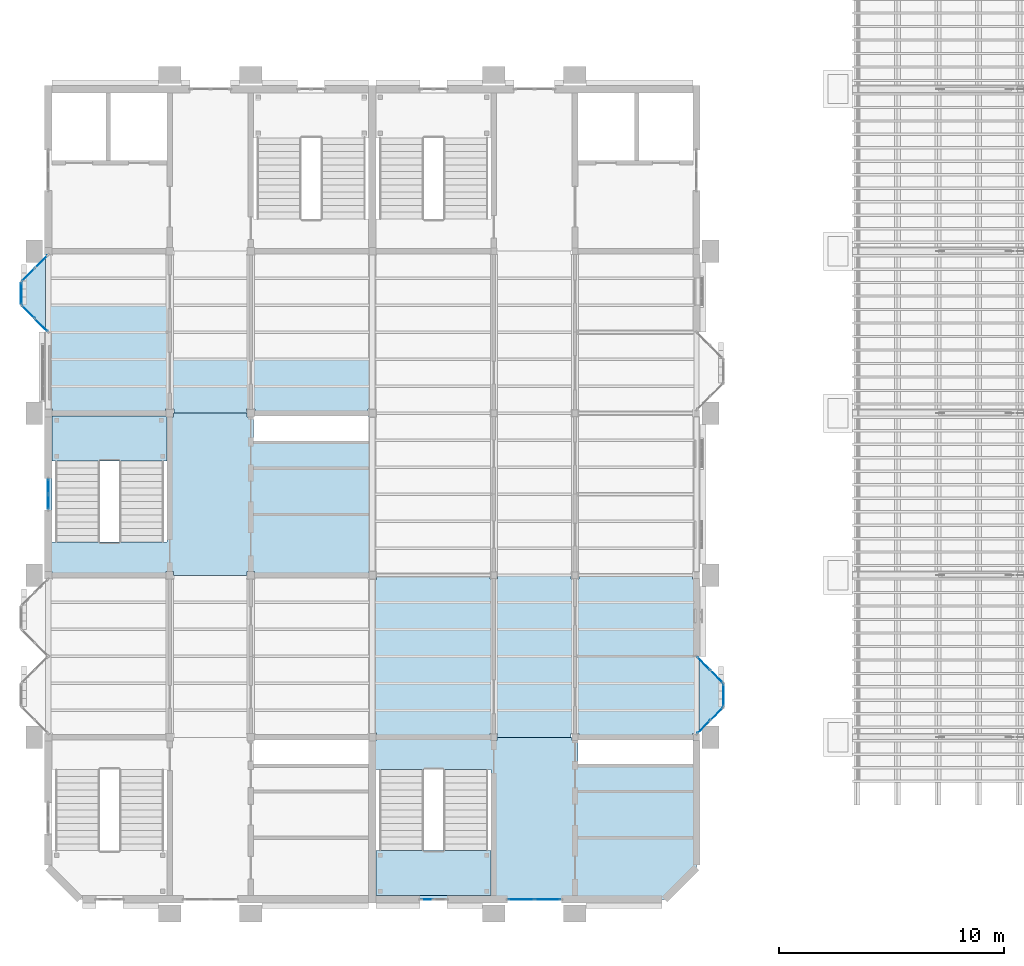
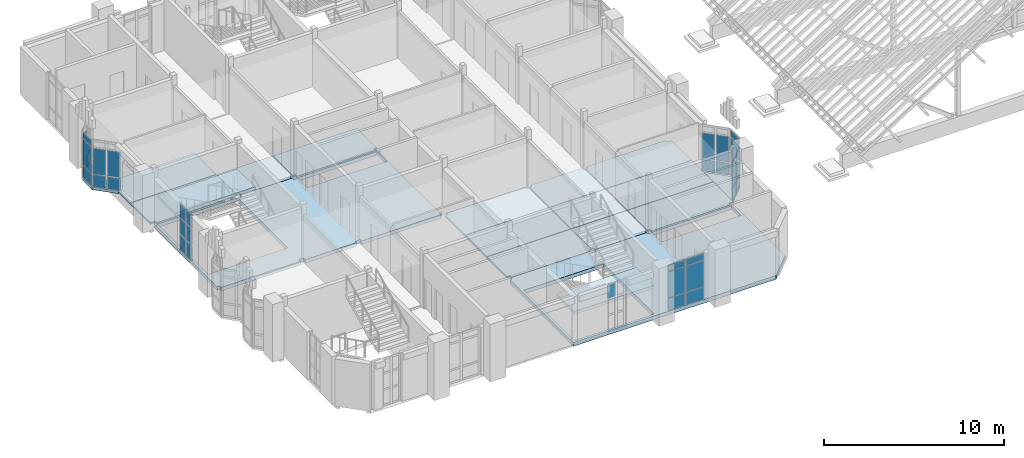
# One storey, part 27 of 71: 34 plates, 19 slabs, 11 elements without a shape of their own.
"""IFC4 building model written with IfcOpenShell, lengths in metres."""

from ifc_helpers import new_model, si_unit, direction, frame, origin, origin_2d, place, context, subcontext, project, spatial, polyline, rectangle, outline, extrude, material, layer, layer_set, type_object, element, aggregate, save


model = new_model("IFC4")

# Units and contexts
model_context = context("Model", 3, precision=1e-05, world=origin(), true_north=direction((0.0, 1.0)))
body_context = subcontext(model_context, "Body", "Model", "MODEL_VIEW")
ifc_project = project(units=[si_unit("LENGTHUNIT", "METRE"), si_unit("AREAUNIT", "SQUARE_METRE"), si_unit("VOLUMEUNIT", "CUBIC_METRE"), si_unit("PLANEANGLEUNIT", "RADIAN"), si_unit("MASSUNIT", "GRAM", prefix="KILO")], contexts=[model_context])

# Site, building, storey
site_placement = place(None, origin())
site = spatial("IfcSite", under=ifc_project, at=site_placement, CompositionType="ELEMENT")
building_placement = place(site_placement, origin())
building = spatial("IfcBuilding", under=site, at=building_placement, Name="Mazhai Court Health Centre", CompositionType="ELEMENT")
storey_placement = place(building_placement, frame((0.0, 0.0, 10.199951171875)))
storey = spatial("IfcBuildingStorey", under=building, at=storey_placement, Name="L02", CompositionType="ELEMENT", Elevation=10.199951171875)

# Slabs
ifc_material_1 = material(Name="CLT C24 5-ply", Category="wood")
ifc_layer_1 = layer(ifc_material_1, 0.1201171875)
ifc_layer_set_1 = layer_set([ifc_layer_1], Name="CLT C24 5-ply 120 floor panel")
slab_type_1 = type_object("IfcSlabType", Name="CLT C24 5-ply 120 floor panel", PredefinedType="FLOOR", material=ifc_layer_set_1)
slab_1_placement = place(storey_placement, frame((0.0, 0.0, -0.119873046875)))
element("IfcSlab", 1, at=slab_1_placement, inside=storey, type_object=slab_type_1, Name="slab-V2-L02-b3-A0", PredefinedType="FLOOR", context=body_context, shape_type="SweptSolid", body=[
    extrude(outline(polyline([(6.080078125, 30.18994140625), (6.080078125, 27.989990234375), (6.389892578125, 27.989990234375), (6.389892578125, 27.800048828125), (11.409912109375, 27.800048828125), (11.409912109375, 27.989990234375), (11.590087890625, 27.989990234375), (11.590087890625, 30.18994140625), (6.080078125, 30.18994140625)])), origin(), (0.0, 0.0, 1.0), 0.119873046875),
])
slab_2_placement = place(storey_placement, frame((0.0, 0.0, -0.119873046875)))
element("IfcSlab", 2, at=slab_2_placement, inside=storey, type_object=slab_type_1, Name="slab-V2-L02-b3-A1", PredefinedType="FLOOR", context=body_context, shape_type="SweptSolid", body=[
    extrude(outline(polyline([(6.080078125, 30.2099609375), (11.590087890625, 30.2099609375), (11.590087890625, 32.590087890625), (6.080078125, 32.590087890625), (6.080078125, 30.2099609375)])), origin(), (0.0, 0.0, 1.0), 0.119873046875),
])
slab_3_placement = place(storey_placement, frame((0.0, 0.0, -0.119873046875)))
element("IfcSlab", 3, at=slab_3_placement, inside=storey, type_object=slab_type_1, Name="slab-V2-L02-b3-C0", PredefinedType="FLOOR", context=body_context, shape_type="SweptSolid", body=[
    extrude(outline(polyline([(11.610107421875, 30.18994140625), (11.610107421875, 27.989990234375), (11.7900390625, 27.989990234375), (11.7900390625, 27.800048828125), (15.010009765625, 27.800048828125), (15.010009765625, 27.989990234375), (15.18994140625, 27.989990234375), (15.18994140625, 30.18994140625), (11.610107421875, 30.18994140625)])), origin(), (0.0, 0.0, 1.0), 0.119873046875),
])
slab_4_placement = place(storey_placement, frame((0.0, 0.0, -0.119873046875)))
element("IfcSlab", 4, at=slab_4_placement, inside=storey, type_object=slab_type_1, Name="slab-V2-L02-b3-B0", PredefinedType="FLOOR", context=body_context, shape_type="SweptSolid", body=[
    extrude(outline(polyline([(15.2099609375, 30.18994140625), (15.2099609375, 27.989990234375), (15.389892578125, 27.989990234375), (15.389892578125, 27.800048828125), (20.409912109375, 27.800048828125), (20.409912109375, 27.989990234375), (20.590087890625, 27.989990234375), (20.590087890625, 30.18994140625), (15.2099609375, 30.18994140625)])), origin(), (0.0, 0.0, 1.0), 0.119873046875),
])
slab_5_placement = place(storey_placement, frame((0.0, 0.0, -0.119873046875)))
element("IfcSlab", 5, at=slab_5_placement, inside=storey, type_object=slab_type_1, Name="slab-V5-L02-b1-A0", PredefinedType="FLOOR", context=body_context, shape_type="SweptSolid", body=[
    extrude(outline(polyline([(20.610107421875, 15.7900390625), (20.610107421875, 13.590087890625), (20.7900390625, 13.590087890625), (20.7900390625, 13.39990234375), (25.830078125, 13.39990234375), (25.830078125, 13.570068359375), (25.989990234375, 13.570068359375), (25.989990234375, 15.7900390625), (20.610107421875, 15.7900390625)])), origin(), (0.0, 0.0, 1.0), 0.119873046875),
])
slab_6_placement = place(storey_placement, frame((0.0, 0.0, -0.119873046875)))
element("IfcSlab", 6, at=slab_6_placement, inside=storey, type_object=slab_type_1, Name="slab-V5-L02-b1-A1", PredefinedType="FLOOR", context=body_context, shape_type="SweptSolid", body=[
    extrude(outline(polyline([(20.610107421875, 15.81005859375), (25.989990234375, 15.81005859375), (25.989990234375, 18.18994140625), (20.610107421875, 18.18994140625), (20.610107421875, 15.81005859375)])), origin(), (0.0, 0.0, 1.0), 0.119873046875),
])
slab_7_placement = place(storey_placement, frame((0.0, 0.0, -0.119873046875)))
element("IfcSlab", 7, at=slab_7_placement, inside=storey, type_object=slab_type_1, Name="slab-V5-L02-b1-A2", PredefinedType="FLOOR", context=body_context, shape_type="SweptSolid", body=[
    extrude(outline(polyline([(25.989990234375, 18.2099609375), (25.989990234375, 20.429931640625), (25.830078125, 20.429931640625), (25.830078125, 20.60009765625), (20.7900390625, 20.60009765625), (20.7900390625, 20.409912109375), (20.610107421875, 20.409912109375), (20.610107421875, 18.2099609375), (25.989990234375, 18.2099609375)])), origin(), (0.0, 0.0, 1.0), 0.119873046875),
])
slab_8_placement = place(storey_placement, frame((0.0, 0.0, -0.119873046875)))
element("IfcSlab", 8, at=slab_8_placement, inside=storey, type_object=slab_type_1, Name="slab-V5-L02-b1-C0", PredefinedType="FLOOR", context=body_context, shape_type="SweptSolid", body=[
    extrude(outline(polyline([(26.010009765625, 15.7900390625), (26.010009765625, 13.570068359375), (26.169921875, 13.570068359375), (26.169921875, 13.39990234375), (29.429931640625, 13.39990234375), (29.429931640625, 13.570068359375), (29.590087890625, 13.570068359375), (29.590087890625, 15.7900390625), (26.010009765625, 15.7900390625)])), origin(), (0.0, 0.0, 1.0), 0.119873046875),
])
slab_9_placement = place(storey_placement, frame((0.0, 0.0, -0.119873046875)))
element("IfcSlab", 9, at=slab_9_placement, inside=storey, type_object=slab_type_1, Name="slab-V5-L02-b1-C1", PredefinedType="FLOOR", context=body_context, shape_type="SweptSolid", body=[
    extrude(outline(polyline([(26.010009765625, 15.81005859375), (29.590087890625, 15.81005859375), (29.590087890625, 18.18994140625), (26.010009765625, 18.18994140625), (26.010009765625, 15.81005859375)])), origin(), (0.0, 0.0, 1.0), 0.119873046875),
])
slab_10_placement = place(storey_placement, frame((0.0, 0.0, -0.119873046875)))
element("IfcSlab", 10, at=slab_10_placement, inside=storey, type_object=slab_type_1, Name="slab-V5-L02-b1-C2", PredefinedType="FLOOR", context=body_context, shape_type="SweptSolid", body=[
    extrude(outline(polyline([(29.590087890625, 18.2099609375), (29.590087890625, 20.429931640625), (29.429931640625, 20.429931640625), (29.429931640625, 20.60009765625), (26.169921875, 20.60009765625), (26.169921875, 20.429931640625), (26.010009765625, 20.429931640625), (26.010009765625, 18.2099609375), (29.590087890625, 18.2099609375)])), origin(), (0.0, 0.0, 1.0), 0.119873046875),
])
slab_11_placement = place(storey_placement, frame((0.0, 0.0, -0.119873046875)))
element("IfcSlab", 11, at=slab_11_placement, inside=storey, type_object=slab_type_1, Name="slab-V5-L02-b1-B0", PredefinedType="FLOOR", context=body_context, shape_type="SweptSolid", body=[
    extrude(outline(polyline([(29.610107421875, 15.7900390625), (29.610107421875, 13.570068359375), (29.77001953125, 13.570068359375), (29.77001953125, 13.39990234375), (34.830078125, 13.39990234375), (34.830078125, 13.570068359375), (35.1201171875, 13.570068359375), (35.1201171875, 15.7900390625), (29.610107421875, 15.7900390625)])), origin(), (0.0, 0.0, 1.0), 0.119873046875),
])
slab_12_placement = place(storey_placement, frame((0.0, 0.0, -0.119873046875)))
element("IfcSlab", 12, at=slab_12_placement, inside=storey, type_object=slab_type_1, Name="slab-V5-L02-b1-B1", PredefinedType="FLOOR", context=body_context, shape_type="SweptSolid", body=[
    extrude(outline(polyline([(29.610107421875, 15.81005859375), (35.1201171875, 15.81005859375), (35.1201171875, 18.18994140625), (29.610107421875, 18.18994140625), (29.610107421875, 15.81005859375)])), origin(), (0.0, 0.0, 1.0), 0.119873046875),
])
slab_13_placement = place(storey_placement, frame((0.0, 0.0, -0.119873046875)))
element("IfcSlab", 13, at=slab_13_placement, inside=storey, type_object=slab_type_1, Name="slab-V5-L02-b1-B2", PredefinedType="FLOOR", context=body_context, shape_type="SweptSolid", body=[
    extrude(outline(polyline([(35.1201171875, 18.2099609375), (35.1201171875, 20.429931640625), (34.830078125, 20.429931640625), (34.830078125, 20.60009765625), (29.77001953125, 20.60009765625), (29.77001953125, 20.429931640625), (29.610107421875, 20.429931640625), (29.610107421875, 18.2099609375), (35.1201171875, 18.2099609375)])), origin(), (0.0, 0.0, 1.0), 0.119873046875),
])

# Curtain wall, plates
ifc_material_2 = material(Name="Teak timber frame, glazed", Category="wood")
ifc_layer_2 = layer(ifc_material_2, 0.10009765625)
ifc_layer_set_2 = layer_set([ifc_layer_2], Name="CURTAIN WALL TIMBER 600")
curtain_wall_type_1 = type_object("IfcCurtainWallType", Name="CURTAIN WALL TIMBER 600", PredefinedType="NOTDEFINED", material=ifc_layer_set_2)
curtain_wall_1_placement = place(storey_placement, origin())
curtain_wall_1 = element("IfcCurtainWall", 14, at=curtain_wall_1_placement, inside=storey, type_object=curtain_wall_type_1, Name="CW-V2-L02-A2", PredefinedType="NOTDEFINED")
ifc_material_3 = material(Name="Glass IGU 28 mm", Category="glass")
ifc_layer_3 = layer(ifc_material_3, 0.028076171875)
ifc_layer_set_3 = layer_set([ifc_layer_3], Name="CW PANEL IGU 28")
plate_type = type_object("IfcPlateType", Name="CW PANEL IGU 28", PredefinedType="CURTAIN_PANEL", material=ifc_layer_set_3)
plate_1_placement = place(storey_placement, frame((6.199951171875, 23.864990234375, 0.06005859375), z_axis=(0.0, 0.0, 1.0), x_axis=(0.0, 1.0, 0.0)))
plate_1 = element("IfcPlate", 15, at=plate_1_placement, type_object=plate_type, Name="CW panel 1.1", PredefinedType="CURTAIN_PANEL", context=body_context, shape_type="SweptSolid", body=[
    extrude(rectangle(XDim=0.610107421875, YDim=0.028076171875, at=origin_2d()), origin(), (0.0, 0.0, 1.0), 1.010009765625),
])
plate_2_placement = place(storey_placement, frame((6.199951171875, 23.864990234375, 1.130126953125), z_axis=(0.0, 0.0, 1.0), x_axis=(0.0, 1.0, 0.0)))
plate_2 = element("IfcPlate", 16, at=plate_2_placement, type_object=plate_type, Name="CW panel 1.2", PredefinedType="CURTAIN_PANEL", context=body_context, shape_type="SweptSolid", body=[
    extrude(rectangle(XDim=0.610107421875, YDim=0.028076171875, at=origin_2d()), origin(), (0.0, 0.0, 1.0), 1.06005859375),
])
plate_3_placement = place(storey_placement, frame((6.199951171875, 23.864990234375, 2.25), z_axis=(0.0, 0.0, 1.0), x_axis=(0.0, 1.0, 0.0)))
plate_3 = element("IfcPlate", 17, at=plate_3_placement, type_object=plate_type, Name="CW panel 1.3", PredefinedType="CURTAIN_PANEL", context=body_context, shape_type="SweptSolid", body=[
    extrude(rectangle(XDim=0.610107421875, YDim=0.028076171875, at=origin_2d()), origin(), (0.0, 0.0, 1.0), 0.909912109375),
])
plate_4_placement = place(storey_placement, frame((6.199951171875, 24.534912109375, 0.06005859375), z_axis=(0.0, 0.0, 1.0), x_axis=(0.0, 1.0, 0.0)))
plate_4 = element("IfcPlate", 18, at=plate_4_placement, type_object=plate_type, Name="CW panel 2.1", PredefinedType="CURTAIN_PANEL", context=body_context, shape_type="SweptSolid", body=[
    extrude(rectangle(XDim=0.610107421875, YDim=0.028076171875, at=origin_2d()), origin(), (0.0, 0.0, 1.0), 1.010009765625),
])
plate_5_placement = place(storey_placement, frame((6.199951171875, 24.534912109375, 1.130126953125), z_axis=(0.0, 0.0, 1.0), x_axis=(0.0, 1.0, 0.0)))
plate_5 = element("IfcPlate", 19, at=plate_5_placement, type_object=plate_type, Name="CW panel 2.2", PredefinedType="CURTAIN_PANEL", context=body_context, shape_type="SweptSolid", body=[
    extrude(rectangle(XDim=0.610107421875, YDim=0.028076171875, at=origin_2d()), origin(), (0.0, 0.0, 1.0), 1.06005859375),
])
plate_6_placement = place(storey_placement, frame((6.199951171875, 24.534912109375, 2.25), z_axis=(0.0, 0.0, 1.0), x_axis=(0.0, 1.0, 0.0)))
plate_6 = element("IfcPlate", 20, at=plate_6_placement, type_object=plate_type, Name="CW panel 2.3", PredefinedType="CURTAIN_PANEL", context=body_context, shape_type="SweptSolid", body=[
    extrude(rectangle(XDim=0.610107421875, YDim=0.028076171875, at=origin_2d()), origin(), (0.0, 0.0, 1.0), 0.909912109375),
])
aggregate(curtain_wall_1, [plate_1, plate_2, plate_3, plate_4, plate_5, plate_6])

ifc_material_4 = material(Name="Teak timber frame, glazed", Category="wood")
ifc_layer_4 = layer(ifc_material_4, 0.10009765625)
ifc_layer_set_4 = layer_set([ifc_layer_4], Name="CURTAIN WALL TIMBER 900")
curtain_wall_type_2 = type_object("IfcCurtainWallType", Name="CURTAIN WALL TIMBER 900", PredefinedType="NOTDEFINED", material=ifc_layer_set_4)
curtain_wall_2_placement = place(storey_placement, origin())
curtain_wall_2 = element("IfcCurtainWall", 21, at=curtain_wall_2_placement, inside=storey, type_object=curtain_wall_type_2, Name="CW-ORIEL-V2-L02-A31-0", PredefinedType="NOTDEFINED")
plate_7_placement = place(storey_placement, frame((5.889404296875, 31.710693359375, 0.06005859375), z_axis=(0.0, 0.0, 1.0), x_axis=(-0.707106781187, 0.707106781187, 0.0)))
plate_7 = element("IfcPlate", 22, at=plate_7_placement, type_object=plate_type, Name="CW panel 1.1", PredefinedType="CURTAIN_PANEL", context=body_context, shape_type="SweptSolid", body=[
    extrude(rectangle(XDim=0.758544921875, YDim=0.028076171875, at=origin_2d()), origin(), (0.0, 0.0, 1.0), 0.81005859375),
])
plate_8_placement = place(storey_placement, frame((5.889404296875, 31.710693359375, 0.93017578125), z_axis=(0.0, 0.0, 1.0), x_axis=(-0.707106781187, 0.707106781187, 0.0)))
plate_8 = element("IfcPlate", 23, at=plate_8_placement, type_object=plate_type, Name="CW panel 1.2", PredefinedType="CURTAIN_PANEL", context=body_context, shape_type="SweptSolid", body=[
    extrude(rectangle(XDim=0.758544921875, YDim=0.028076171875, at=origin_2d()), origin(), (0.0, 0.0, 1.0), 1.739990234375),
])
plate_9_placement = place(storey_placement, frame((5.310546875, 32.289306640625, 0.06005859375), z_axis=(0.0, 0.0, 1.0), x_axis=(-0.707106781187, 0.707106781187, 0.0)))
plate_9 = element("IfcPlate", 24, at=plate_9_placement, type_object=plate_type, Name="CW panel 2.1", PredefinedType="CURTAIN_PANEL", context=body_context, shape_type="SweptSolid", body=[
    extrude(rectangle(XDim=0.758544921875, YDim=0.028076171875, at=origin_2d()), origin(), (0.0, 0.0, 1.0), 0.81005859375),
])
plate_10_placement = place(storey_placement, frame((5.310546875, 32.289306640625, 0.93017578125), z_axis=(0.0, 0.0, 1.0), x_axis=(-0.707106781187, 0.707106781187, 0.0)))
plate_10 = element("IfcPlate", 25, at=plate_10_placement, type_object=plate_type, Name="CW panel 2.2", PredefinedType="CURTAIN_PANEL", context=body_context, shape_type="SweptSolid", body=[
    extrude(rectangle(XDim=0.758544921875, YDim=0.028076171875, at=origin_2d()), origin(), (0.0, 0.0, 1.0), 1.739990234375),
])
aggregate(curtain_wall_2, [plate_7, plate_8, plate_9, plate_10])

curtain_wall_3_placement = place(storey_placement, origin())
curtain_wall_3 = element("IfcCurtainWall", 26, at=curtain_wall_3_placement, inside=storey, type_object=curtain_wall_type_2, Name="CW-ORIEL-V2-L02-A31-1", PredefinedType="NOTDEFINED")
plate_11_placement = place(storey_placement, frame((5.0, 33.1201171875, 0.06005859375), z_axis=(0.0, 0.0, 1.0), x_axis=(0.0, 1.0, 0.0)))
plate_11 = element("IfcPlate", 27, at=plate_11_placement, type_object=plate_type, Name="CW panel 1.1", PredefinedType="CURTAIN_PANEL", context=body_context, shape_type="SweptSolid", body=[
    extrude(rectangle(XDim=0.919921875, YDim=0.028076171875, at=origin_2d()), origin(), (0.0, 0.0, 1.0), 0.81005859375),
])
plate_12_placement = place(storey_placement, frame((5.0, 33.1201171875, 0.93017578125), z_axis=(0.0, 0.0, 1.0), x_axis=(0.0, 1.0, 0.0)))
plate_12 = element("IfcPlate", 28, at=plate_12_placement, type_object=plate_type, Name="CW panel 1.2", PredefinedType="CURTAIN_PANEL", context=body_context, shape_type="SweptSolid", body=[
    extrude(rectangle(XDim=0.919921875, YDim=0.028076171875, at=origin_2d()), origin(), (0.0, 0.0, 1.0), 1.739990234375),
])
plate_13_placement = place(storey_placement, frame((5.0, 33.1201171875, 2.72998046875), z_axis=(0.0, 0.0, 1.0), x_axis=(0.0, 1.0, 0.0)))
plate_13 = element("IfcPlate", 29, at=plate_13_placement, type_object=plate_type, Name="CW panel 1.3", PredefinedType="CURTAIN_PANEL", context=body_context, shape_type="SweptSolid", body=[
    extrude(rectangle(XDim=0.919921875, YDim=0.028076171875, at=origin_2d()), origin(), (0.0, 0.0, 1.0), 0.429931640625),
])
aggregate(curtain_wall_3, [plate_11, plate_12, plate_13])

curtain_wall_4_placement = place(storey_placement, origin())
curtain_wall_4 = element("IfcCurtainWall", 30, at=curtain_wall_4_placement, inside=storey, type_object=curtain_wall_type_2, Name="CW-ORIEL-V2-L02-A31-2", PredefinedType="NOTDEFINED")
plate_14_placement = place(storey_placement, frame((5.310546875, 33.95068359375, 0.06005859375), z_axis=(0.0, 0.0, 1.0), x_axis=(0.707106781187, 0.707106781187, 0.0)))
plate_14 = element("IfcPlate", 31, at=plate_14_placement, type_object=plate_type, Name="CW panel 1.1", PredefinedType="CURTAIN_PANEL", context=body_context, shape_type="SweptSolid", body=[
    extrude(rectangle(XDim=0.758544921875, YDim=0.028076171875, at=origin_2d()), origin(), (0.0, 0.0, 1.0), 0.81005859375),
])
plate_15_placement = place(storey_placement, frame((5.310546875, 33.95068359375, 0.93017578125), z_axis=(0.0, 0.0, 1.0), x_axis=(0.707106781187, 0.707106781187, 0.0)))
plate_15 = element("IfcPlate", 32, at=plate_15_placement, type_object=plate_type, Name="CW panel 1.2", PredefinedType="CURTAIN_PANEL", context=body_context, shape_type="SweptSolid", body=[
    extrude(rectangle(XDim=0.758544921875, YDim=0.028076171875, at=origin_2d()), origin(), (0.0, 0.0, 1.0), 1.739990234375),
])
plate_16_placement = place(storey_placement, frame((5.889404296875, 34.529296875, 0.06005859375), z_axis=(0.0, 0.0, 1.0), x_axis=(0.707106781187, 0.707106781187, 0.0)))
plate_16 = element("IfcPlate", 33, at=plate_16_placement, type_object=plate_type, Name="CW panel 2.1", PredefinedType="CURTAIN_PANEL", context=body_context, shape_type="SweptSolid", body=[
    extrude(rectangle(XDim=0.758544921875, YDim=0.028076171875, at=origin_2d()), origin(), (0.0, 0.0, 1.0), 0.81005859375),
])
aggregate(curtain_wall_4, [plate_14, plate_15, plate_16])

curtain_wall_5_placement = place(storey_placement, origin())
curtain_wall_5 = element("IfcCurtainWall", 34, at=curtain_wall_5_placement, inside=storey, type_object=curtain_wall_type_2, Name="CW-ORIEL-V5-L02-B10-0", PredefinedType="NOTDEFINED")
plate_17_placement = place(storey_placement, frame((35.310546875, 13.8505859375, 0.06005859375), z_axis=(0.0, 0.0, 1.0), x_axis=(0.707106781187, 0.707106781187, 0.0)))
plate_17 = element("IfcPlate", 35, at=plate_17_placement, type_object=plate_type, Name="CW panel 1.1", PredefinedType="CURTAIN_PANEL", context=body_context, shape_type="SweptSolid", body=[
    extrude(rectangle(XDim=0.758544921875, YDim=0.028076171875, at=origin_2d()), origin(), (0.0, 0.0, 1.0), 0.81005859375),
])
plate_18_placement = place(storey_placement, frame((35.310546875, 13.8505859375, 0.93017578125), z_axis=(0.0, 0.0, 1.0), x_axis=(0.707106781187, 0.707106781187, 0.0)))
plate_18 = element("IfcPlate", 36, at=plate_18_placement, type_object=plate_type, Name="CW panel 1.2", PredefinedType="CURTAIN_PANEL", context=body_context, shape_type="SweptSolid", body=[
    extrude(rectangle(XDim=0.758544921875, YDim=0.028076171875, at=origin_2d()), origin(), (0.0, 0.0, 1.0), 1.739990234375),
])
plate_19_placement = place(storey_placement, frame((35.889404296875, 14.429443359375, 0.06005859375), z_axis=(0.0, 0.0, 1.0), x_axis=(0.707106781187, 0.707106781187, 0.0)))
plate_19 = element("IfcPlate", 37, at=plate_19_placement, type_object=plate_type, Name="CW panel 2.1", PredefinedType="CURTAIN_PANEL", context=body_context, shape_type="SweptSolid", body=[
    extrude(rectangle(XDim=0.758544921875, YDim=0.028076171875, at=origin_2d()), origin(), (0.0, 0.0, 1.0), 0.81005859375),
])
plate_20_placement = place(storey_placement, frame((35.889404296875, 14.429443359375, 0.93017578125), z_axis=(0.0, 0.0, 1.0), x_axis=(0.707106781187, 0.707106781187, 0.0)))
plate_20 = element("IfcPlate", 38, at=plate_20_placement, type_object=plate_type, Name="CW panel 2.2", PredefinedType="CURTAIN_PANEL", context=body_context, shape_type="SweptSolid", body=[
    extrude(rectangle(XDim=0.758544921875, YDim=0.028076171875, at=origin_2d()), origin(), (0.0, 0.0, 1.0), 1.739990234375),
])
aggregate(curtain_wall_5, [plate_17, plate_18, plate_19, plate_20])

curtain_wall_6_placement = place(storey_placement, origin())
curtain_wall_6 = element("IfcCurtainWall", 39, at=curtain_wall_6_placement, inside=storey, type_object=curtain_wall_type_2, Name="CW-ORIEL-V5-L02-B10-1", PredefinedType="NOTDEFINED")
plate_21_placement = place(storey_placement, frame((36.199951171875, 15.27001953125, 0.06005859375), z_axis=(0.0, 0.0, 1.0), x_axis=(0.0, 1.0, 0.0)))
plate_21 = element("IfcPlate", 40, at=plate_21_placement, type_object=plate_type, Name="CW panel 1.1", PredefinedType="CURTAIN_PANEL", context=body_context, shape_type="SweptSolid", body=[
    extrude(rectangle(XDim=0.93994140625, YDim=0.028076171875, at=origin_2d()), origin(), (0.0, 0.0, 1.0), 0.81005859375),
])
plate_22_placement = place(storey_placement, frame((36.199951171875, 15.27001953125, 0.93017578125), z_axis=(0.0, 0.0, 1.0), x_axis=(0.0, 1.0, 0.0)))
plate_22 = element("IfcPlate", 41, at=plate_22_placement, type_object=plate_type, Name="CW panel 1.2", PredefinedType="CURTAIN_PANEL", context=body_context, shape_type="SweptSolid", body=[
    extrude(rectangle(XDim=0.93994140625, YDim=0.028076171875, at=origin_2d()), origin(), (0.0, 0.0, 1.0), 1.739990234375),
])
plate_23_placement = place(storey_placement, frame((36.199951171875, 15.27001953125, 2.72998046875), z_axis=(0.0, 0.0, 1.0), x_axis=(0.0, 1.0, 0.0)))
plate_23 = element("IfcPlate", 42, at=plate_23_placement, type_object=plate_type, Name="CW panel 1.3", PredefinedType="CURTAIN_PANEL", context=body_context, shape_type="SweptSolid", body=[
    extrude(rectangle(XDim=0.93994140625, YDim=0.028076171875, at=origin_2d()), origin(), (0.0, 0.0, 1.0), 0.429931640625),
])
aggregate(curtain_wall_6, [plate_21, plate_22, plate_23])

curtain_wall_7_placement = place(storey_placement, origin())
curtain_wall_7 = element("IfcCurtainWall", 43, at=curtain_wall_7_placement, inside=storey, type_object=curtain_wall_type_2, Name="CW-ORIEL-V5-L02-B10-2", PredefinedType="NOTDEFINED")
plate_24_placement = place(storey_placement, frame((35.889404296875, 16.110595703125, 0.06005859375), z_axis=(0.0, 0.0, 1.0), x_axis=(-0.707106781187, 0.707106781187, 0.0)))
plate_24 = element("IfcPlate", 44, at=plate_24_placement, type_object=plate_type, Name="CW panel 1.1", PredefinedType="CURTAIN_PANEL", context=body_context, shape_type="SweptSolid", body=[
    extrude(rectangle(XDim=0.758544921875, YDim=0.028076171875, at=origin_2d()), origin(), (0.0, 0.0, 1.0), 0.81005859375),
])
plate_25_placement = place(storey_placement, frame((35.889404296875, 16.110595703125, 0.93017578125), z_axis=(0.0, 0.0, 1.0), x_axis=(-0.707106781187, 0.707106781187, 0.0)))
plate_25 = element("IfcPlate", 45, at=plate_25_placement, type_object=plate_type, Name="CW panel 1.2", PredefinedType="CURTAIN_PANEL", context=body_context, shape_type="SweptSolid", body=[
    extrude(rectangle(XDim=0.758544921875, YDim=0.028076171875, at=origin_2d()), origin(), (0.0, 0.0, 1.0), 1.739990234375),
])
plate_26_placement = place(storey_placement, frame((35.310546875, 16.689453125, 0.06005859375), z_axis=(0.0, 0.0, 1.0), x_axis=(-0.707106781187, 0.707106781187, 0.0)))
plate_26 = element("IfcPlate", 46, at=plate_26_placement, type_object=plate_type, Name="CW panel 2.1", PredefinedType="CURTAIN_PANEL", context=body_context, shape_type="SweptSolid", body=[
    extrude(rectangle(XDim=0.758544921875, YDim=0.028076171875, at=origin_2d()), origin(), (0.0, 0.0, 1.0), 0.81005859375),
])
plate_27_placement = place(storey_placement, frame((35.310546875, 16.689453125, 0.93017578125), z_axis=(0.0, 0.0, 1.0), x_axis=(-0.707106781187, 0.707106781187, 0.0)))
plate_27 = element("IfcPlate", 47, at=plate_27_placement, type_object=plate_type, Name="CW panel 2.2", PredefinedType="CURTAIN_PANEL", context=body_context, shape_type="SweptSolid", body=[
    extrude(rectangle(XDim=0.758544921875, YDim=0.028076171875, at=origin_2d()), origin(), (0.0, 0.0, 1.0), 1.739990234375),
])
aggregate(curtain_wall_7, [plate_24, plate_25, plate_26, plate_27])

# Curtain wall, plate
curtain_wall_8_placement = place(storey_placement, origin())
curtain_wall_8 = element("IfcCurtainWall", 48, at=curtain_wall_8_placement, inside=storey, type_object=curtain_wall_type_1, Name="CW-V5-L02-SSTAIR0", PredefinedType="NOTDEFINED")
plate_28_placement = place(storey_placement, frame((23.034912109375, 6.199951171875, 2.22998046875), z_axis=(0.0, 0.0, 1.0), x_axis=(-1.0, 0.0, 0.0)))
plate_28 = element("IfcPlate", 49, at=plate_28_placement, type_object=plate_type, Name="CW panel 2.3", PredefinedType="CURTAIN_PANEL", context=body_context, shape_type="SweptSolid", body=[
    extrude(rectangle(XDim=0.510009765625, YDim=0.028076171875, at=origin_2d()), origin(), (0.0, 0.0, 1.0), 0.909912109375),
])
aggregate(curtain_wall_8, [plate_28])

# Curtain wall, plates
ifc_material_5 = material(Name="Teak timber frame, glazed", Category="wood")
ifc_layer_5 = layer(ifc_material_5, 0.10009765625)
ifc_layer_set_5 = layer_set([ifc_layer_5], Name="CURTAIN WALL TIMBER 1200")
curtain_wall_type_3 = type_object("IfcCurtainWallType", Name="CURTAIN WALL TIMBER 1200", PredefinedType="NOTDEFINED", material=ifc_layer_set_5)
curtain_wall_9_placement = place(storey_placement, origin())
curtain_wall_9 = element("IfcCurtainWall", 50, at=curtain_wall_9_placement, inside=storey, type_object=curtain_wall_type_3, Name="CW-V5-L02-SEND1", PredefinedType="NOTDEFINED")
plate_29_placement = place(storey_placement, frame((28.385009765625, 6.199951171875, 0.06005859375), z_axis=(0.0, 0.0, 1.0), x_axis=(-1.0, 0.0, 0.0)))
plate_29 = element("IfcPlate", 51, at=plate_29_placement, type_object=plate_type, Name="CW panel 1.1", PredefinedType="CURTAIN_PANEL", context=body_context, shape_type="SweptSolid", body=[
    extrude(rectangle(XDim=1.110107421875, YDim=0.028076171875, at=origin_2d()), origin(), (0.0, 0.0, 1.0), 0.81005859375),
])
plate_30_placement = place(storey_placement, frame((28.385009765625, 6.199951171875, 0.93017578125), z_axis=(0.0, 0.0, 1.0), x_axis=(-1.0, 0.0, 0.0)))
plate_30 = element("IfcPlate", 52, at=plate_30_placement, type_object=plate_type, Name="CW panel 1.2", PredefinedType="CURTAIN_PANEL", context=body_context, shape_type="SweptSolid", body=[
    extrude(rectangle(XDim=1.110107421875, YDim=0.028076171875, at=origin_2d()), origin(), (0.0, 0.0, 1.0), 1.739990234375),
])
plate_31_placement = place(storey_placement, frame((28.385009765625, 6.199951171875, 2.72998046875), z_axis=(0.0, 0.0, 1.0), x_axis=(-1.0, 0.0, 0.0)))
plate_31 = element("IfcPlate", 53, at=plate_31_placement, type_object=plate_type, Name="CW panel 1.3", PredefinedType="CURTAIN_PANEL", context=body_context, shape_type="SweptSolid", body=[
    extrude(rectangle(XDim=1.110107421875, YDim=0.028076171875, at=origin_2d()), origin(), (0.0, 0.0, 1.0), 0.409912109375),
])
plate_32_placement = place(storey_placement, frame((27.215087890625, 6.199951171875, 0.06005859375), z_axis=(0.0, 0.0, 1.0), x_axis=(-1.0, 0.0, 0.0)))
plate_32 = element("IfcPlate", 54, at=plate_32_placement, type_object=plate_type, Name="CW panel 2.1", PredefinedType="CURTAIN_PANEL", context=body_context, shape_type="SweptSolid", body=[
    extrude(rectangle(XDim=1.110107421875, YDim=0.028076171875, at=origin_2d()), origin(), (0.0, 0.0, 1.0), 0.81005859375),
])
plate_33_placement = place(storey_placement, frame((27.215087890625, 6.199951171875, 0.93017578125), z_axis=(0.0, 0.0, 1.0), x_axis=(-1.0, 0.0, 0.0)))
plate_33 = element("IfcPlate", 55, at=plate_33_placement, type_object=plate_type, Name="CW panel 2.2", PredefinedType="CURTAIN_PANEL", context=body_context, shape_type="SweptSolid", body=[
    extrude(rectangle(XDim=1.110107421875, YDim=0.028076171875, at=origin_2d()), origin(), (0.0, 0.0, 1.0), 1.739990234375),
])
plate_34_placement = place(storey_placement, frame((27.215087890625, 6.199951171875, 2.72998046875), z_axis=(0.0, 0.0, 1.0), x_axis=(-1.0, 0.0, 0.0)))
plate_34 = element("IfcPlate", 56, at=plate_34_placement, type_object=plate_type, Name="CW panel 2.3", PredefinedType="CURTAIN_PANEL", context=body_context, shape_type="SweptSolid", body=[
    extrude(rectangle(XDim=1.110107421875, YDim=0.028076171875, at=origin_2d()), origin(), (0.0, 0.0, 1.0), 0.409912109375),
])
aggregate(curtain_wall_9, [plate_29, plate_30, plate_31, plate_32, plate_33, plate_34])

# Slabs
ifc_material_6 = material(Name="CLT C24 5-ply", Category="wood")
ifc_layer_6 = layer(ifc_material_6, 0.179931640625)
ifc_layer_set_6 = layer_set([ifc_layer_6], Name="ORIEL FLOOR 180")
slab_type_2 = type_object("IfcSlabType", Name="ORIEL FLOOR 180", PredefinedType="FLOOR", material=ifc_layer_set_6)
slab_14_placement = place(storey_placement, frame((0.0, 0.0, -0.179931640625)))
element("IfcSlab", 57, at=slab_14_placement, inside=storey, type_object=slab_type_2, Name="OF-V2-L02-A31", PredefinedType="FLOOR", context=body_context, shape_type="SweptSolid", body=[
    extrude(outline(polyline([(6.080078125, 31.52001953125), (5.0, 32.60009765625), (5.0, 33.639892578125), (6.080078125, 34.719970703125), (6.080078125, 31.52001953125)])), origin(), (0.0, 0.0, 1.0), 0.179931640625),
])
slab_15_placement = place(storey_placement, frame((0.0, 0.0, -0.179931640625)))
element("IfcSlab", 58, at=slab_15_placement, inside=storey, type_object=slab_type_2, Name="OF-V5-L02-B10", PredefinedType="FLOOR", context=body_context, shape_type="SweptSolid", body=[
    extrude(outline(polyline([(35.1201171875, 13.659912109375), (36.199951171875, 14.739990234375), (36.199951171875, 15.800048828125), (35.1201171875, 16.8798828125), (35.1201171875, 13.659912109375)])), origin(), (0.0, 0.0, 1.0), 0.179931640625),
])
ifc_material_7 = material(Name="Concrete M40", Category="concrete")
ifc_layer_7 = layer(ifc_material_7, 0.25)
ifc_layer_set_7 = layer_set([ifc_layer_7], Name="RC CORE FLOOR 250 M40")
slab_type_3 = type_object("IfcSlabType", Name="RC CORE FLOOR 250 M40", PredefinedType="FLOOR", material=ifc_layer_set_7)
slab_16_placement = place(storey_placement, frame((0.0, 0.0, -0.25)))
element("IfcSlab", 59, at=slab_16_placement, inside=storey, type_object=slab_type_3, Name="core-C2-floor-L02", PredefinedType="FLOOR", context=body_context, shape_type="SweptSolid", body=[
    extrude(outline(polyline([(6.360107421875, 27.800048828125), (11.43994140625, 27.800048828125), (11.43994140625, 27.675048828125), (6.364990234375, 27.675048828125), (6.364990234375, 22.076416015625), (11.47509765625, 22.076416015625), (11.47509765625, 27.639892578125), (11.760009765625, 27.639892578125), (11.760009765625, 27.800048828125), (15.0400390625, 27.800048828125), (15.0400390625, 27.639892578125), (15.324951171875, 27.639892578125), (15.324951171875, 26.574951171875), (20.43505859375, 26.574951171875), (20.43505859375, 27.675048828125), (15.360107421875, 27.675048828125), (15.360107421875, 27.800048828125), (20.43994140625, 27.800048828125), (20.43994140625, 27.639892578125), (20.60009765625, 27.639892578125), (20.60009765625, 27.6201171875), (20.47998046875, 27.6201171875), (20.47998046875, 20.780029296875), (20.60009765625, 20.780029296875), (20.60009765625, 20.760009765625), (20.43994140625, 20.760009765625), (20.43994140625, 20.60009765625), (15.360107421875, 20.60009765625), (15.360107421875, 20.760009765625), (15.0400390625, 20.760009765625), (15.0400390625, 20.60009765625), (11.760009765625, 20.60009765625), (11.760009765625, 20.760009765625), (11.43994140625, 20.760009765625), (11.43994140625, 20.60009765625), (6.360107421875, 20.60009765625), (6.360107421875, 20.760009765625), (6.199951171875, 20.760009765625), (6.199951171875, 27.639892578125), (6.360107421875, 27.639892578125), (6.360107421875, 27.800048828125)])), origin(), (0.0, 0.0, 1.0), 0.25),
])
slab_17_placement = place(storey_placement, frame((0.0, 0.0, -0.25)))
element("IfcSlab", 60, at=slab_17_placement, inside=storey, type_object=slab_type_3, Name="core-C4-floor-L02", PredefinedType="FLOOR", context=body_context, shape_type="SweptSolid", body=[
    extrude(outline(polyline([(20.760009765625, 13.39990234375), (25.860107421875, 13.39990234375), (25.860107421875, 13.260009765625), (26.139892578125, 13.260009765625), (26.139892578125, 13.39990234375), (29.4599609375, 13.39990234375), (29.4599609375, 13.260009765625), (29.72509765625, 13.260009765625), (29.72509765625, 12.215087890625), (34.8349609375, 12.215087890625), (34.8349609375, 13.27490234375), (29.739990234375, 13.27490234375), (29.739990234375, 13.39990234375), (34.860107421875, 13.39990234375), (34.860107421875, 13.260009765625), (35.0, 13.260009765625), (35.0, 7.6142578125), (33.585693359375, 6.199951171875), (20.60009765625, 6.199951171875), (20.60009765625, 13.239990234375), (20.760009765625, 13.239990234375), (20.760009765625, 13.39990234375)]), holes=[polyline([(25.875, 11.96337890625), (20.764892578125, 11.96337890625), (20.764892578125, 6.364990234375), (25.875, 6.364990234375), (25.875, 11.96337890625)])]), origin(), (0.0, 0.0, 1.0), 0.25),
])

# Stair, slab
ifc_material_8 = material(Name="Concrete M40", Category="concrete")
stair_type = type_object("IfcStairType", Name="RC STAIR 2000 26R", PredefinedType="DOUBLE_RETURN_STAIR", material=ifc_material_8)
stair_1_placement = place(storey_placement, origin())
stair_1 = element("IfcStair", 61, at=stair_1_placement, inside=storey, type_object=stair_type, Name="L02 Stair 2", PredefinedType="HALF_TURN_STAIR")
ifc_material_9 = material(Name="Concrete M40", Category="concrete")
ifc_layer_8 = layer(ifc_material_9, 0.199951171875)
ifc_layer_set_8 = layer_set([ifc_layer_8], Name="RC STAIR LANDING 200 M40")
slab_type_4 = type_object("IfcSlabType", Name="RC STAIR LANDING 200 M40", PredefinedType="LANDING", material=ifc_layer_set_8)
slab_18_placement = place(storey_placement, frame((0.0, 0.0, 1.75)))
slab_18 = element("IfcSlab", 62, at=slab_18_placement, type_object=slab_type_4, Name="ST2 landing 1", PredefinedType="LANDING", context=body_context, shape_type="SweptSolid", body=[
    extrude(outline(polyline([(11.47509765625, 25.675048828125), (11.47509765625, 27.675048828125), (6.364990234375, 27.675048828125), (6.364990234375, 25.675048828125), (11.47509765625, 25.675048828125)])), origin(), (0.0, 0.0, 1.0), 0.199951171875),
])
aggregate(stair_1, [slab_18])

stair_2_placement = place(storey_placement, origin())
stair_2 = element("IfcStair", 63, at=stair_2_placement, inside=storey, type_object=stair_type, Name="L02 Stair 4", PredefinedType="HALF_TURN_STAIR")
slab_19_placement = place(storey_placement, frame((0.0, 0.0, 1.75)))
slab_19 = element("IfcSlab", 64, at=slab_19_placement, type_object=slab_type_4, Name="ST4 landing 1", PredefinedType="LANDING", context=body_context, shape_type="SweptSolid", body=[
    extrude(outline(polyline([(20.764892578125, 8.364990234375), (20.764892578125, 6.364990234375), (25.875, 6.364990234375), (25.875, 8.364990234375), (20.764892578125, 8.364990234375)])), origin(), (0.0, 0.0, 1.0), 0.199951171875),
])
aggregate(stair_2, [slab_19])

save(model, "model.ifc")
